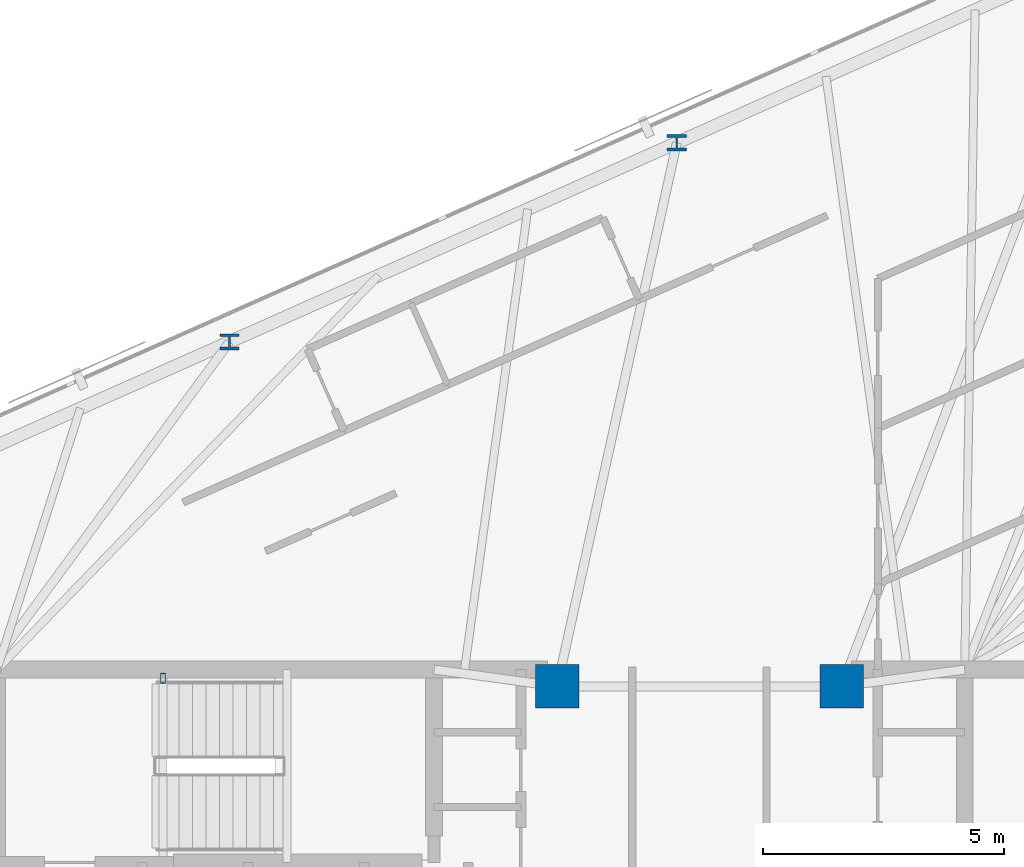
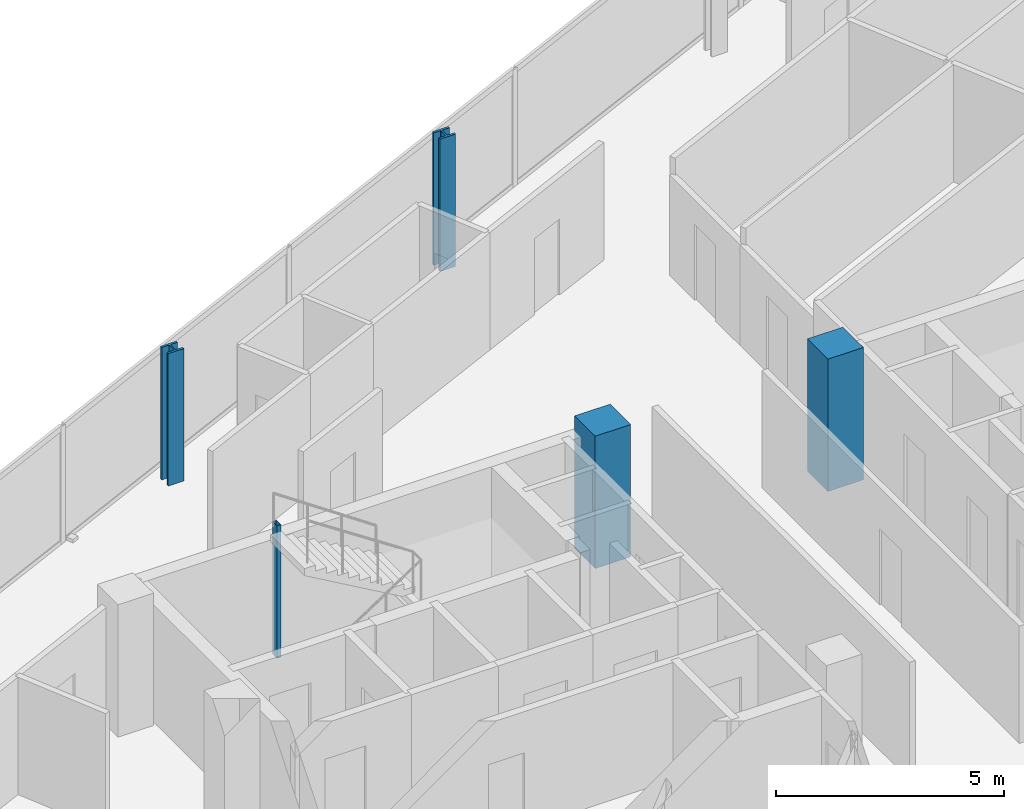
# One storey, part 2 of 19: 5 columns.
"""IFC4 building model written with IfcOpenShell, lengths in metres."""

from ifc_helpers import new_model, si_unit, direction, frame, origin, origin_2d, place, context, subcontext, project, spatial, rectangle, hollow_rectangle, i_section, extrude, material, material_profile, profile_set, type_object, element, save


model = new_model("IFC4")

# Units and contexts
model_context = context("Model", 3, precision=1e-05, world=origin(), true_north=direction((0.0, 1.0)))
body_context = subcontext(model_context, "Body", "Model", "MODEL_VIEW")
ifc_project = project(units=[si_unit("LENGTHUNIT", "METRE"), si_unit("AREAUNIT", "SQUARE_METRE"), si_unit("VOLUMEUNIT", "CUBIC_METRE"), si_unit("PLANEANGLEUNIT", "RADIAN"), si_unit("MASSUNIT", "GRAM", prefix="KILO")], contexts=[model_context])

# Site, building, storey
site_placement = place(None, origin())
site = spatial("IfcSite", under=ifc_project, at=site_placement, CompositionType="ELEMENT")
building_placement = place(site_placement, origin())
building = spatial("IfcBuilding", under=site, at=building_placement, Name="Menara Jurai Vektor", CompositionType="ELEMENT")
storey_placement = place(building_placement, frame((0.0, 0.0, 302.0)))
storey = spatial("IfcBuildingStorey", under=building, at=storey_placement, Name="L81", CompositionType="ELEMENT", Elevation=302.0)

# Columns
ifc_material_1 = material(Name="Concrete C50/60", Category="concrete")
ifc_material_profile_1 = material_profile(ifc_material_1, rectangle(XDim=0.89990234375, YDim=0.89990234375, at=origin_2d()), Name="RC 900x900")
ifc_profile_set_1 = profile_set([ifc_material_profile_1], Name="Concrete C50/60")
column_type_1 = type_object("IfcColumnType", Name="STR-COL-RC900", PredefinedType="COLUMN", material=ifc_profile_set_1)
for number, where, z_axis, x_axis, name in (
    (1, (-2.949951171875, 5.25, 0.0), (0.0, 0.0, 1.0), (1.0, 0.0, 0.0), "Core Spine Column CW-NE L81"),
    (2, (2.949951171875, 5.25, 0.0), (0.0, 0.0, 1.0), (1.0, 0.0, 0.0), "Core Spine Column CE-NW L81"),
):
    element("IfcColumn", number, at=place(storey_placement, frame(where, z_axis=z_axis, x_axis=x_axis)), inside=storey, type_object=column_type_1, Name=name, PredefinedType="COLUMN", context=body_context, shape_type="SweptSolid", body=[
        extrude(rectangle(XDim=0.89990234375, YDim=0.89990234375, at=origin_2d()), origin(), (0.0, 0.0, 1.0), 3.550048828125),
    ])
ifc_material_2 = material(Name="Steel S355", Category="steel")
ifc_material_profile_2 = material_profile(ifc_material_2, hollow_rectangle(XDim=0.10009765625, YDim=0.199951171875, WallThickness=0.008056640625, at=origin_2d()), Name="RHS 200x100x8")
ifc_profile_set_2 = profile_set([ifc_material_profile_2], Name="Steel S355")
column_type_2 = type_object("IfcColumnType", Name="STR-COL-STAIR", PredefinedType="COLUMN", material=ifc_profile_set_2)
column_placement = place(storey_placement, frame((-11.1201171875, 5.419921875, 0.0), z_axis=(0.0, 0.0, 1.0), x_axis=(1.0, 0.0, 0.0)))
element("IfcColumn", 3, at=column_placement, inside=storey, type_object=column_type_2, Name="Stair Well Header Column ST1-P2 L81", PredefinedType="COLUMN", context=body_context, shape_type="SweptSolid", body=[
    extrude(hollow_rectangle(XDim=0.10009765625, YDim=0.199951171875, WallThickness=0.008056640625, at=origin_2d()), origin(), (0.0, 0.0, 1.0), 3.550048828125),
])
ifc_material_3 = material(Name="Steel S460", Category="steel")
ifc_material_profile_3 = material_profile(ifc_material_3, i_section(OverallWidth=0.40087890625, OverallDepth=0.3349609375, WebThickness=0.035888671875, FlangeThickness=0.05810546875, FilletRadius=0.014892578125, at=origin_2d()), Name="HD 400x463")
ifc_profile_set_3 = profile_set([ifc_material_profile_3], Name="Steel S460")
column_type_3 = type_object("IfcColumnType", Name="STR-EXO-BLK5", PredefinedType="COLUMN", material=ifc_profile_set_3)
for number, where, z_axis, x_axis, name in (
    (4, (-0.467529296875, 16.519287109375, 0.0), (0.0, 0.0, 1.0), (1.0, 0.0, 0.0), "Exoskeleton Column BLK5-N3 L81"),
    (5, (-9.740966796875, 12.390380859375, 0.0), (0.0, 0.0, 1.0), (1.0, 0.0, 0.0), "Exoskeleton Column BLK5-N4 L81"),
):
    element("IfcColumn", number, at=place(storey_placement, frame(where, z_axis=z_axis, x_axis=x_axis)), inside=storey, type_object=column_type_3, Name=name, PredefinedType="COLUMN", context=body_context, shape_type="SweptSolid", body=[
        extrude(i_section(OverallWidth=0.40087890625, OverallDepth=0.3349609375, WebThickness=0.035888671875, FlangeThickness=0.05810546875, FilletRadius=0.014892578125, at=origin_2d()), origin(), (0.0, 0.0, 1.0), 3.550048828125),
    ])

save(model, "model.ifc")
